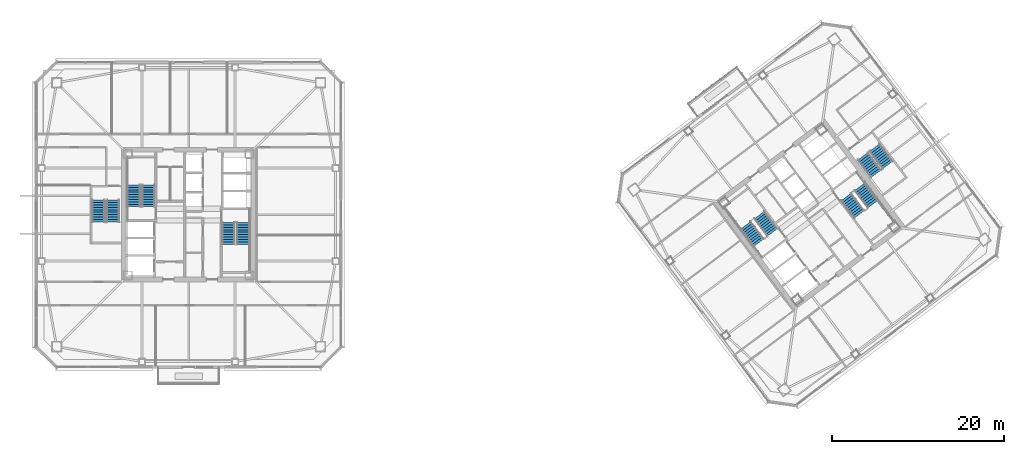
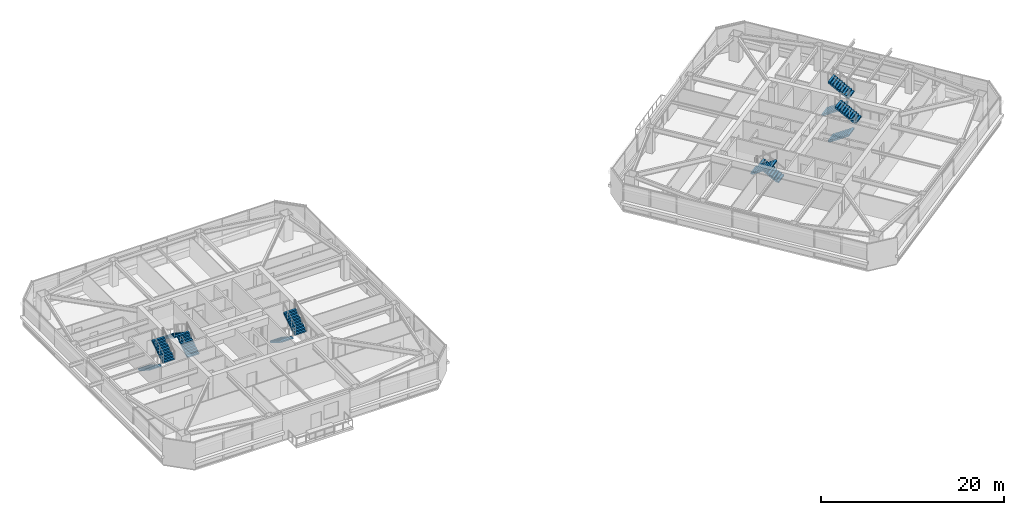
# One storey, part 38 of 44: 12 stair flights, 6 elements without a shape of their own.
"""IFC4 building model written with IfcOpenShell, lengths in metres."""

from ifc_helpers import new_model, si_unit, direction, frame, origin, place, context, subcontext, project, spatial, polyline, outline, extrude, material, type_object, element, aggregate, save


model = new_model("IFC4")

# Units and contexts
model_context = context("Model", 3, precision=1e-05, world=origin(), true_north=direction((0.0, 1.0)))
body_context = subcontext(model_context, "Body", "Model", "MODEL_VIEW")
ifc_project = project(units=[si_unit("LENGTHUNIT", "METRE"), si_unit("AREAUNIT", "SQUARE_METRE"), si_unit("VOLUMEUNIT", "CUBIC_METRE"), si_unit("PLANEANGLEUNIT", "RADIAN"), si_unit("MASSUNIT", "GRAM", prefix="KILO")], contexts=[model_context])

# Site, building, storey
site_placement = place(None, origin())
site = spatial("IfcSite", under=ifc_project, at=site_placement, CompositionType="ELEMENT")
building_placement = place(site_placement, origin())
building = spatial("IfcBuilding", under=site, at=building_placement, Name="Tashvorn Skyway Center", CompositionType="ELEMENT")
storey_placement = place(building_placement, frame((0.0, 0.0, 181.85009765625)))
storey = spatial("IfcBuildingStorey", under=building, at=storey_placement, Name="L49", CompositionType="ELEMENT", Elevation=181.85009765625)

# Stair, stair flights
ifc_material = material(Name="Concrete C40/50", Category="concrete")
stair_type = type_object("IfcStairType", Name="STAIR-CORE-1500", PredefinedType="HALF_TURN_STAIR", material=ifc_material)
stair_1_placement = place(storey_placement, origin())
stair_1 = element("IfcStair", 1, at=stair_1_placement, inside=storey, type_object=stair_type, Name="L49 Tower 1 Exit Stair 1", PredefinedType="HALF_TURN_STAIR")
stair_flight_type = type_object("IfcStairFlightType", Name="SFLIGHT-1500", PredefinedType="STRAIGHT", material=ifc_material)
stair_flight_1_placement = place(storey_placement, frame((37.35009765625, 32.919921875, 0.0), z_axis=(0.0, 0.0, 1.0), x_axis=(0.0, 1.0, 0.0)))
stair_flight_1 = element("IfcStairFlight", 2, at=stair_flight_1_placement, type_object=stair_flight_type, Name="ST-T1-1 flight 1", NumberOfRisers=10, NumberOfTreads=9, PredefinedType="STRAIGHT", RiserHeight=0.1775, TreadLength=0.28, context=body_context, shape_type="SweptSolid", body=[
    extrude(outline(polyline([(0.0, 0.0), (0.0, 0.177490234375), (0.280029296875, 0.177490234375), (0.280029296875, 0.35498046875), (0.56005859375, 0.35498046875), (0.56005859375, 0.532470703125), (0.840087890625, 0.532470703125), (0.840087890625, 0.7099609375), (1.1201171875, 0.7099609375), (1.1201171875, 0.887451171875), (1.39990234375, 0.887451171875), (1.39990234375, 1.06494140625), (1.679931640625, 1.06494140625), (1.679931640625, 1.242431640625), (1.9599609375, 1.242431640625), (1.9599609375, 1.419921875), (2.239990234375, 1.419921875), (2.239990234375, 1.597412109375), (2.52001953125, 1.597412109375), (2.52001953125, 1.77490234375), (2.52001953125, 1.419921875), (0.280029296875, 0.0), (0.0, 0.0)])), frame((0.0, 0.75, 0.0), z_axis=(0.0, -1.0, 0.0), x_axis=(1.0, 0.0, 0.0)), (0.0, 0.0, 1.0), 1.5),
])
stair_flight_2_placement = place(storey_placement, frame((35.64990234375, 35.43994140625, 1.77490234375), z_axis=(0.0, 0.0, 1.0), x_axis=(0.0, -1.0, 0.0)))
stair_flight_2 = element("IfcStairFlight", 3, at=stair_flight_2_placement, type_object=stair_flight_type, Name="ST-T1-1 flight 2", NumberOfRisers=10, NumberOfTreads=9, PredefinedType="STRAIGHT", RiserHeight=0.1775, TreadLength=0.28, context=body_context, shape_type="SweptSolid", body=[
    extrude(outline(polyline([(0.0, 0.0), (0.0, 0.177490234375), (0.280029296875, 0.177490234375), (0.280029296875, 0.35498046875), (0.56005859375, 0.35498046875), (0.56005859375, 0.532470703125), (0.840087890625, 0.532470703125), (0.840087890625, 0.7099609375), (1.1201171875, 0.7099609375), (1.1201171875, 0.887451171875), (1.39990234375, 0.887451171875), (1.39990234375, 1.06494140625), (1.679931640625, 1.06494140625), (1.679931640625, 1.242431640625), (1.9599609375, 1.242431640625), (1.9599609375, 1.419921875), (2.239990234375, 1.419921875), (2.239990234375, 1.597412109375), (2.52001953125, 1.597412109375), (2.52001953125, 1.77490234375), (2.52001953125, 1.419921875), (0.280029296875, 0.0), (0.0, 0.0)])), frame((0.0, 0.75, 0.0), z_axis=(0.0, -1.0, 0.0), x_axis=(1.0, 0.0, 0.0)), (0.0, 0.0, 1.0), 1.5),
])
aggregate(stair_1, [stair_flight_1, stair_flight_2])

stair_2_placement = place(storey_placement, origin())
stair_2 = element("IfcStair", 4, at=stair_2_placement, inside=storey, type_object=stair_type, Name="L49 Tower 1 Exit Stair 2", PredefinedType="HALF_TURN_STAIR")
stair_flight_3_placement = place(storey_placement, frame((46.64990234375, 31.080078125, 0.0), z_axis=(0.0, 0.0, 1.0), x_axis=(0.0, -1.0, 0.0)))
stair_flight_3 = element("IfcStairFlight", 5, at=stair_flight_3_placement, type_object=stair_flight_type, Name="ST-T1-2 flight 1", NumberOfRisers=10, NumberOfTreads=9, PredefinedType="STRAIGHT", RiserHeight=0.1775, TreadLength=0.28, context=body_context, shape_type="SweptSolid", body=[
    extrude(outline(polyline([(0.0, 0.0), (0.0, 0.177490234375), (0.280029296875, 0.177490234375), (0.280029296875, 0.35498046875), (0.56005859375, 0.35498046875), (0.56005859375, 0.532470703125), (0.840087890625, 0.532470703125), (0.840087890625, 0.7099609375), (1.1201171875, 0.7099609375), (1.1201171875, 0.887451171875), (1.39990234375, 0.887451171875), (1.39990234375, 1.06494140625), (1.679931640625, 1.06494140625), (1.679931640625, 1.242431640625), (1.9599609375, 1.242431640625), (1.9599609375, 1.419921875), (2.239990234375, 1.419921875), (2.239990234375, 1.597412109375), (2.52001953125, 1.597412109375), (2.52001953125, 1.77490234375), (2.52001953125, 1.419921875), (0.280029296875, 0.0), (0.0, 0.0)])), frame((0.0, 0.75, 0.0), z_axis=(0.0, -1.0, 0.0), x_axis=(1.0, 0.0, 0.0)), (0.0, 0.0, 1.0), 1.5),
])
stair_flight_4_placement = place(storey_placement, frame((48.35009765625, 28.56005859375, 1.77490234375), z_axis=(0.0, 0.0, 1.0), x_axis=(0.0, 1.0, 0.0)))
stair_flight_4 = element("IfcStairFlight", 6, at=stair_flight_4_placement, type_object=stair_flight_type, Name="ST-T1-2 flight 2", NumberOfRisers=10, NumberOfTreads=9, PredefinedType="STRAIGHT", RiserHeight=0.1775, TreadLength=0.28, context=body_context, shape_type="SweptSolid", body=[
    extrude(outline(polyline([(0.0, 0.0), (0.0, 0.177490234375), (0.280029296875, 0.177490234375), (0.280029296875, 0.35498046875), (0.56005859375, 0.35498046875), (0.56005859375, 0.532470703125), (0.840087890625, 0.532470703125), (0.840087890625, 0.7099609375), (1.1201171875, 0.7099609375), (1.1201171875, 0.887451171875), (1.39990234375, 0.887451171875), (1.39990234375, 1.06494140625), (1.679931640625, 1.06494140625), (1.679931640625, 1.242431640625), (1.9599609375, 1.242431640625), (1.9599609375, 1.419921875), (2.239990234375, 1.419921875), (2.239990234375, 1.597412109375), (2.52001953125, 1.597412109375), (2.52001953125, 1.77490234375), (2.52001953125, 1.419921875), (0.280029296875, 0.0), (0.0, 0.0)])), frame((0.0, 0.75, 0.0), z_axis=(0.0, -1.0, 0.0), x_axis=(1.0, 0.0, 0.0)), (0.0, 0.0, 1.0), 1.5),
])
aggregate(stair_2, [stair_flight_3, stair_flight_4])

stair_3_placement = place(storey_placement, origin())
stair_3 = element("IfcStair", 7, at=stair_3_placement, inside=storey, type_object=stair_type, Name="L49 Tower 2 Exit Stair 1", PredefinedType="HALF_TURN_STAIR")
stair_flight_5_placement = place(storey_placement, frame((109.72802734375, 29.946044921875, 0.0), z_axis=(0.0, 0.0, 1.0), x_axis=(-0.600000004945, 0.799999996291, 0.0)))
stair_flight_5 = element("IfcStairFlight", 8, at=stair_flight_5_placement, type_object=stair_flight_type, Name="ST-T2-1 flight 1", NumberOfRisers=10, NumberOfTreads=9, PredefinedType="STRAIGHT", RiserHeight=0.1775, TreadLength=0.28, context=body_context, shape_type="SweptSolid", body=[
    extrude(outline(polyline([(0.0, 0.0), (0.0, 0.177490234375), (0.280029296875, 0.177490234375), (0.280029296875, 0.35498046875), (0.56005859375, 0.35498046875), (0.56005859375, 0.532470703125), (0.840087890625, 0.532470703125), (0.840087890625, 0.7099609375), (1.1201171875, 0.7099609375), (1.1201171875, 0.887451171875), (1.39990234375, 0.887451171875), (1.39990234375, 1.06494140625), (1.679931640625, 1.06494140625), (1.679931640625, 1.242431640625), (1.9599609375, 1.242431640625), (1.9599609375, 1.419921875), (2.239990234375, 1.419921875), (2.239990234375, 1.597412109375), (2.52001953125, 1.597412109375), (2.52001953125, 1.77490234375), (2.52001953125, 1.419921875), (0.280029296875, 0.0), (0.0, 0.0)])), frame((0.0, 0.75, 0.0), z_axis=(0.0, -1.0, 0.0), x_axis=(1.0, 0.0, 0.0)), (0.0, 0.0, 1.0), 1.5),
])
stair_flight_6_placement = place(storey_placement, frame((106.632080078125, 30.77392578125, 1.77490234375), z_axis=(0.0, 0.0, 1.0), x_axis=(0.600000004945, -0.799999996291, 0.0)))
stair_flight_6 = element("IfcStairFlight", 9, at=stair_flight_6_placement, type_object=stair_flight_type, Name="ST-T2-1 flight 2", NumberOfRisers=10, NumberOfTreads=9, PredefinedType="STRAIGHT", RiserHeight=0.1775, TreadLength=0.28, context=body_context, shape_type="SweptSolid", body=[
    extrude(outline(polyline([(0.0, 0.0), (0.0, 0.177490234375), (0.280029296875, 0.177490234375), (0.280029296875, 0.35498046875), (0.56005859375, 0.35498046875), (0.56005859375, 0.532470703125), (0.840087890625, 0.532470703125), (0.840087890625, 0.7099609375), (1.1201171875, 0.7099609375), (1.1201171875, 0.887451171875), (1.39990234375, 0.887451171875), (1.39990234375, 1.06494140625), (1.679931640625, 1.06494140625), (1.679931640625, 1.242431640625), (1.9599609375, 1.242431640625), (1.9599609375, 1.419921875), (2.239990234375, 1.419921875), (2.239990234375, 1.597412109375), (2.52001953125, 1.597412109375), (2.52001953125, 1.77490234375), (2.52001953125, 1.419921875), (0.280029296875, 0.0), (0.0, 0.0)])), frame((0.0, 0.75, 0.0), z_axis=(0.0, -1.0, 0.0), x_axis=(1.0, 0.0, 0.0)), (0.0, 0.0, 1.0), 1.5),
])
aggregate(stair_3, [stair_flight_5, stair_flight_6])

stair_4_placement = place(storey_placement, origin())
stair_4 = element("IfcStair", 10, at=stair_4_placement, inside=storey, type_object=stair_type, Name="L49 Tower 2 Exit Stair 2", PredefinedType="HALF_TURN_STAIR")
stair_flight_7_placement = place(storey_placement, frame((118.27197265625, 34.053955078125, 0.0), z_axis=(0.0, 0.0, 1.0), x_axis=(0.600000004945, -0.799999996291, 0.0)))
stair_flight_7 = element("IfcStairFlight", 11, at=stair_flight_7_placement, type_object=stair_flight_type, Name="ST-T2-2 flight 1", NumberOfRisers=10, NumberOfTreads=9, PredefinedType="STRAIGHT", RiserHeight=0.1775, TreadLength=0.28, context=body_context, shape_type="SweptSolid", body=[
    extrude(outline(polyline([(0.0, 0.0), (0.0, 0.177490234375), (0.280029296875, 0.177490234375), (0.280029296875, 0.35498046875), (0.56005859375, 0.35498046875), (0.56005859375, 0.532470703125), (0.840087890625, 0.532470703125), (0.840087890625, 0.7099609375), (1.1201171875, 0.7099609375), (1.1201171875, 0.887451171875), (1.39990234375, 0.887451171875), (1.39990234375, 1.06494140625), (1.679931640625, 1.06494140625), (1.679931640625, 1.242431640625), (1.9599609375, 1.242431640625), (1.9599609375, 1.419921875), (2.239990234375, 1.419921875), (2.239990234375, 1.597412109375), (2.52001953125, 1.597412109375), (2.52001953125, 1.77490234375), (2.52001953125, 1.419921875), (0.280029296875, 0.0), (0.0, 0.0)])), frame((0.0, 0.75, 0.0), z_axis=(0.0, -1.0, 0.0), x_axis=(1.0, 0.0, 0.0)), (0.0, 0.0, 1.0), 1.5),
])
stair_flight_8_placement = place(storey_placement, frame((121.367919921875, 33.22607421875, 1.77490234375), z_axis=(0.0, 0.0, 1.0), x_axis=(-0.600000004945, 0.799999996291, 0.0)))
stair_flight_8 = element("IfcStairFlight", 12, at=stair_flight_8_placement, type_object=stair_flight_type, Name="ST-T2-2 flight 2", NumberOfRisers=10, NumberOfTreads=9, PredefinedType="STRAIGHT", RiserHeight=0.1775, TreadLength=0.28, context=body_context, shape_type="SweptSolid", body=[
    extrude(outline(polyline([(0.0, 0.0), (0.0, 0.177490234375), (0.280029296875, 0.177490234375), (0.280029296875, 0.35498046875), (0.56005859375, 0.35498046875), (0.56005859375, 0.532470703125), (0.840087890625, 0.532470703125), (0.840087890625, 0.7099609375), (1.1201171875, 0.7099609375), (1.1201171875, 0.887451171875), (1.39990234375, 0.887451171875), (1.39990234375, 1.06494140625), (1.679931640625, 1.06494140625), (1.679931640625, 1.242431640625), (1.9599609375, 1.242431640625), (1.9599609375, 1.419921875), (2.239990234375, 1.419921875), (2.239990234375, 1.597412109375), (2.52001953125, 1.597412109375), (2.52001953125, 1.77490234375), (2.52001953125, 1.419921875), (0.280029296875, 0.0), (0.0, 0.0)])), frame((0.0, 0.75, 0.0), z_axis=(0.0, -1.0, 0.0), x_axis=(1.0, 0.0, 0.0)), (0.0, 0.0, 1.0), 1.5),
])
aggregate(stair_4, [stair_flight_7, stair_flight_8])

stair_5_placement = place(storey_placement, origin())
stair_5 = element("IfcStair", 13, at=stair_5_placement, inside=storey, type_object=stair_type, Name="L49 Tower 1 Exit Stair 3", PredefinedType="HALF_TURN_STAIR")
stair_flight_9_placement = place(storey_placement, frame((31.550048828125, 33.679931640625, 0.0), z_axis=(0.0, 0.0, 1.0), x_axis=(0.0, -1.0, 0.0)))
stair_flight_9 = element("IfcStairFlight", 14, at=stair_flight_9_placement, type_object=stair_flight_type, Name="ST-T1-3 flight 1", NumberOfRisers=10, NumberOfTreads=9, PredefinedType="STRAIGHT", RiserHeight=0.1775, TreadLength=0.28, context=body_context, shape_type="SweptSolid", body=[
    extrude(outline(polyline([(0.0, 0.0), (0.0, 0.177490234375), (0.280029296875, 0.177490234375), (0.280029296875, 0.35498046875), (0.56005859375, 0.35498046875), (0.56005859375, 0.532470703125), (0.840087890625, 0.532470703125), (0.840087890625, 0.7099609375), (1.1201171875, 0.7099609375), (1.1201171875, 0.887451171875), (1.39990234375, 0.887451171875), (1.39990234375, 1.06494140625), (1.679931640625, 1.06494140625), (1.679931640625, 1.242431640625), (1.9599609375, 1.242431640625), (1.9599609375, 1.419921875), (2.239990234375, 1.419921875), (2.239990234375, 1.597412109375), (2.52001953125, 1.597412109375), (2.52001953125, 1.77490234375), (2.52001953125, 1.419921875), (0.280029296875, 0.0), (0.0, 0.0)])), frame((0.0, 0.75, 0.0), z_axis=(0.0, -1.0, 0.0), x_axis=(1.0, 0.0, 0.0)), (0.0, 0.0, 1.0), 1.5),
])
stair_flight_10_placement = place(storey_placement, frame((33.25, 31.159912109375, 1.77490234375), z_axis=(0.0, 0.0, 1.0), x_axis=(0.0, 1.0, 0.0)))
stair_flight_10 = element("IfcStairFlight", 15, at=stair_flight_10_placement, type_object=stair_flight_type, Name="ST-T1-3 flight 2", NumberOfRisers=10, NumberOfTreads=9, PredefinedType="STRAIGHT", RiserHeight=0.1775, TreadLength=0.28, context=body_context, shape_type="SweptSolid", body=[
    extrude(outline(polyline([(0.0, 0.0), (0.0, 0.177490234375), (0.280029296875, 0.177490234375), (0.280029296875, 0.35498046875), (0.56005859375, 0.35498046875), (0.56005859375, 0.532470703125), (0.840087890625, 0.532470703125), (0.840087890625, 0.7099609375), (1.1201171875, 0.7099609375), (1.1201171875, 0.887451171875), (1.39990234375, 0.887451171875), (1.39990234375, 1.06494140625), (1.679931640625, 1.06494140625), (1.679931640625, 1.242431640625), (1.9599609375, 1.242431640625), (1.9599609375, 1.419921875), (2.239990234375, 1.419921875), (2.239990234375, 1.597412109375), (2.52001953125, 1.597412109375), (2.52001953125, 1.77490234375), (2.52001953125, 1.419921875), (0.280029296875, 0.0), (0.0, 0.0)])), frame((0.0, 0.75, 0.0), z_axis=(0.0, -1.0, 0.0), x_axis=(1.0, 0.0, 0.0)), (0.0, 0.0, 1.0), 1.5),
])
aggregate(stair_5, [stair_flight_9, stair_flight_10])

stair_6_placement = place(storey_placement, origin())
stair_6 = element("IfcStair", 16, at=stair_6_placement, inside=storey, type_object=stair_type, Name="L49 Tower 2 Exit Stair 3", PredefinedType="HALF_TURN_STAIR")
stair_flight_11_placement = place(storey_placement, frame((120.216064453125, 38.761962890625, 0.0), z_axis=(0.0, 0.0, 1.0), x_axis=(0.600000004945, -0.799999996291, 0.0)))
stair_flight_11 = element("IfcStairFlight", 17, at=stair_flight_11_placement, type_object=stair_flight_type, Name="ST-T2-3 flight 1", NumberOfRisers=10, NumberOfTreads=9, PredefinedType="STRAIGHT", RiserHeight=0.1775, TreadLength=0.28, context=body_context, shape_type="SweptSolid", body=[
    extrude(outline(polyline([(0.0, 0.0), (0.0, 0.177490234375), (0.280029296875, 0.177490234375), (0.280029296875, 0.35498046875), (0.56005859375, 0.35498046875), (0.56005859375, 0.532470703125), (0.840087890625, 0.532470703125), (0.840087890625, 0.7099609375), (1.1201171875, 0.7099609375), (1.1201171875, 0.887451171875), (1.39990234375, 0.887451171875), (1.39990234375, 1.06494140625), (1.679931640625, 1.06494140625), (1.679931640625, 1.242431640625), (1.9599609375, 1.242431640625), (1.9599609375, 1.419921875), (2.239990234375, 1.419921875), (2.239990234375, 1.597412109375), (2.52001953125, 1.597412109375), (2.52001953125, 1.77490234375), (2.52001953125, 1.419921875), (0.280029296875, 0.0), (0.0, 0.0)])), frame((0.0, 0.75, 0.0), z_axis=(0.0, -1.0, 0.0), x_axis=(1.0, 0.0, 0.0)), (0.0, 0.0, 1.0), 1.5),
])
stair_flight_12_placement = place(storey_placement, frame((123.087890625, 37.76611328125, 1.77490234375), z_axis=(0.0, 0.0, 1.0), x_axis=(-0.600000004945, 0.799999996291, 0.0)))
stair_flight_12 = element("IfcStairFlight", 18, at=stair_flight_12_placement, type_object=stair_flight_type, Name="ST-T2-3 flight 2", NumberOfRisers=10, NumberOfTreads=9, PredefinedType="STRAIGHT", RiserHeight=0.1775, TreadLength=0.28, context=body_context, shape_type="SweptSolid", body=[
    extrude(outline(polyline([(0.0, 0.0), (0.0, 0.177490234375), (0.280029296875, 0.177490234375), (0.280029296875, 0.35498046875), (0.56005859375, 0.35498046875), (0.56005859375, 0.532470703125), (0.840087890625, 0.532470703125), (0.840087890625, 0.7099609375), (1.1201171875, 0.7099609375), (1.1201171875, 0.887451171875), (1.39990234375, 0.887451171875), (1.39990234375, 1.06494140625), (1.679931640625, 1.06494140625), (1.679931640625, 1.242431640625), (1.9599609375, 1.242431640625), (1.9599609375, 1.419921875), (2.239990234375, 1.419921875), (2.239990234375, 1.597412109375), (2.52001953125, 1.597412109375), (2.52001953125, 1.77490234375), (2.52001953125, 1.419921875), (0.280029296875, 0.0), (0.0, 0.0)])), frame((0.0, 0.75, 0.0), z_axis=(0.0, -1.0, 0.0), x_axis=(1.0, 0.0, 0.0)), (0.0, 0.0, 1.0), 1.5),
])
aggregate(stair_6, [stair_flight_11, stair_flight_12])

save(model, "model.ifc")
